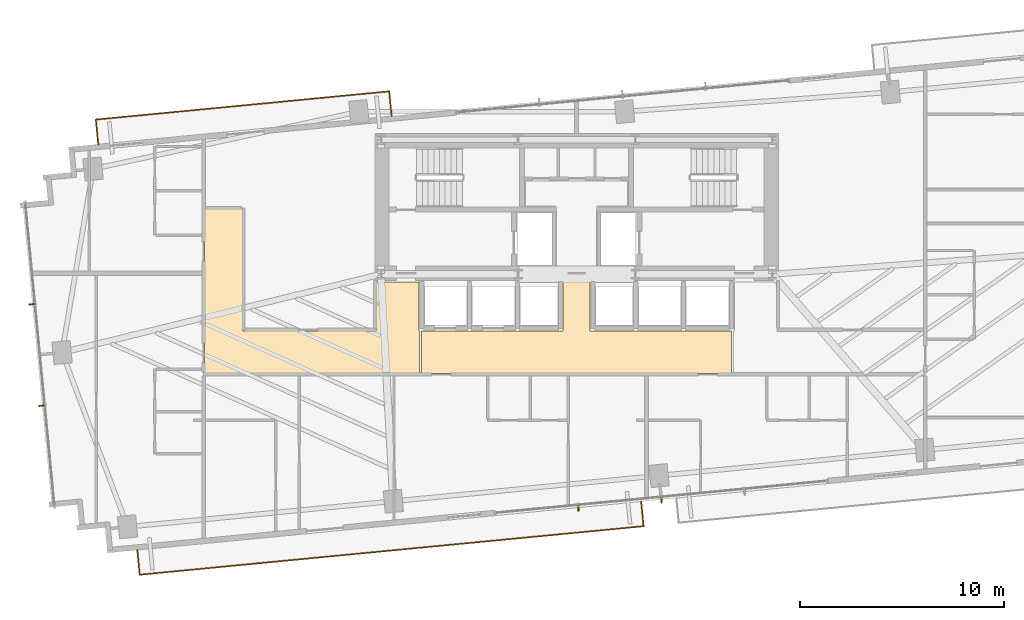
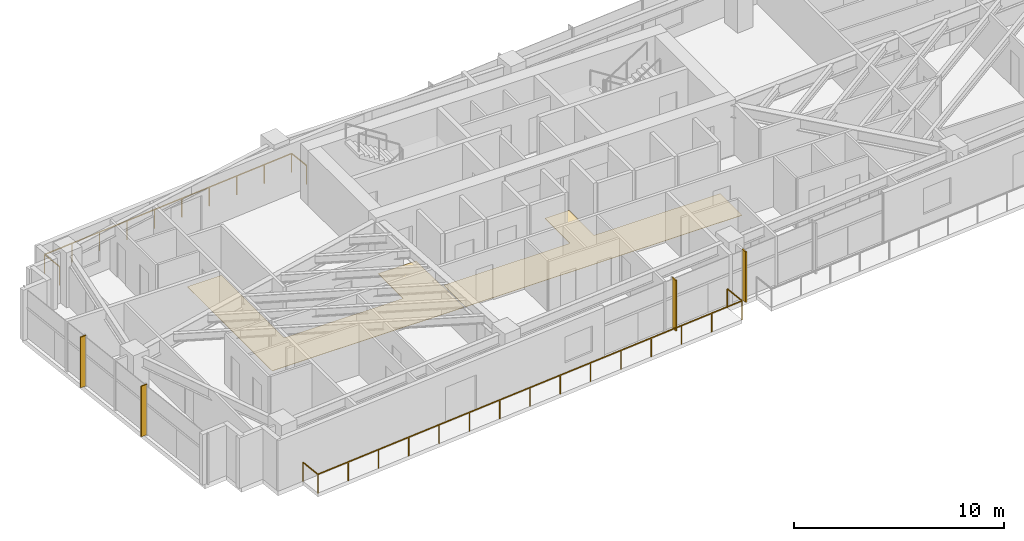
# One storey, part 25 of 27: 4 shading devices, 2 coverings, 2 railings.
"""IFC4 building model written with IfcOpenShell, lengths in metres."""

from ifc_helpers import new_model, si_unit, direction, frame, origin, origin_2d, place, context, subcontext, project, spatial, polyline, rectangle, outline, extrude, source, transform, mapped, material, layer, layer_set, type_object, type_shapes, element, save


model = new_model("IFC4")

# Units and contexts
model_context = context("Model", 3, precision=1e-05, world=origin(), true_north=direction((0.0, 1.0)))
body_context = subcontext(model_context, "Body", "Model", "MODEL_VIEW")
ifc_project = project(units=[si_unit("LENGTHUNIT", "METRE"), si_unit("AREAUNIT", "SQUARE_METRE"), si_unit("VOLUMEUNIT", "CUBIC_METRE"), si_unit("PLANEANGLEUNIT", "RADIAN"), si_unit("MASSUNIT", "GRAM", prefix="KILO")], contexts=[model_context])

# Site, building, storey
site_placement = place(None, origin())
site = spatial("IfcSite", under=ifc_project, at=site_placement, CompositionType="ELEMENT")
building_placement = place(site_placement, origin())
building = spatial("IfcBuilding", under=site, at=building_placement, Name="Astriad Promenade Condominiums", CompositionType="ELEMENT")
storey_placement = place(building_placement, frame((0.0, 0.0, 84.199951171875)))
storey = spatial("IfcBuildingStorey", under=building, at=storey_placement, Name="L23", CompositionType="ELEMENT", Elevation=84.199951171875)

# Coverings
ifc_material_1 = material(Name="Polished Lakefront Terrazzo Flooring")
ifc_layer = layer(ifc_material_1, 0.02001953125)
ifc_layer_set = layer_set([ifc_layer], Name="Polished Lakefront Terrazzo Flooring")
covering_type = type_object("IfcCoveringType", Name="COV-FLOR-TERRAZZO-20", PredefinedType="FLOORING", material=ifc_layer_set)
covering_1_placement = place(storey_placement, origin())
element("IfcCovering", 1, at=covering_1_placement, inside=storey, type_object=covering_type, Name="FLR-L23-LLB", PredefinedType="FLOORING", context=body_context, shape_type="SweptSolid", body=[
    extrude(outline(polyline([(43.610107421875, 14.610107421875), (43.610107421875, 12.530029296875), (28.389892578125, 12.530029296875), (28.389892578125, 14.610107421875), (35.300048828125, 14.610107421875), (35.303955078125, 14.610107421875), (35.307861328125, 14.61083984375), (35.3115234375, 14.61181640625), (35.315185546875, 14.613037109375), (35.31884765625, 14.61474609375), (35.322265625, 14.61669921875), (35.325439453125, 14.619140625), (35.328369140625, 14.62158203125), (35.330810546875, 14.62451171875), (35.333251953125, 14.627685546875), (35.335205078125, 14.631103515625), (35.3369140625, 14.634765625), (35.33837890625, 14.638427734375), (35.339111328125, 14.64208984375), (35.33984375, 14.64599609375), (35.340087890625, 14.64990234375), (35.340087890625, 17.010009765625), (36.659912109375, 17.010009765625), (36.659912109375, 14.64990234375), (36.66015625, 14.64599609375), (36.660888671875, 14.64208984375), (36.66162109375, 14.638427734375), (36.6630859375, 14.634765625), (36.664794921875, 14.631103515625), (36.666748046875, 14.627685546875), (36.669189453125, 14.62451171875), (36.671630859375, 14.62158203125), (36.674560546875, 14.619140625), (36.677734375, 14.61669921875), (36.68115234375, 14.61474609375), (36.684814453125, 14.613037109375), (36.6884765625, 14.61181640625), (36.692138671875, 14.61083984375), (36.696044921875, 14.610107421875), (36.699951171875, 14.610107421875), (43.610107421875, 14.610107421875)])), origin(), (0.0, 0.0, 1.0), 0.02001953125),
])
covering_2_placement = place(storey_placement, origin())
element("IfcCovering", 2, at=covering_2_placement, inside=storey, type_object=covering_type, Name="FLR-L23-COR-2", PredefinedType="FLOORING", context=body_context, shape_type="SweptSolid", body=[
    extrude(outline(polyline([(28.300048828125, 12.530029296875), (17.739990234375, 12.530029296875), (17.739990234375, 20.610107421875), (19.610107421875, 20.610107421875), (19.610107421875, 14.659912109375), (19.610107421875, 14.656005859375), (19.61083984375, 14.652099609375), (19.61181640625, 14.6484375), (19.613037109375, 14.644775390625), (19.61474609375, 14.64111328125), (19.61669921875, 14.6376953125), (19.619140625, 14.634521484375), (19.62158203125, 14.631591796875), (19.62451171875, 14.629150390625), (19.627685546875, 14.626708984375), (19.631103515625, 14.624755859375), (19.634765625, 14.623046875), (19.638427734375, 14.62158203125), (19.64208984375, 14.620849609375), (19.64599609375, 14.6201171875), (19.64990234375, 14.6201171875), (26.1201171875, 14.6201171875), (26.123779296875, 14.6201171875), (26.127685546875, 14.620849609375), (26.131591796875, 14.62158203125), (26.13525390625, 14.623046875), (26.138916015625, 14.624755859375), (26.14208984375, 14.626708984375), (26.1455078125, 14.629150390625), (26.148193359375, 14.631591796875), (26.15087890625, 14.634521484375), (26.1533203125, 14.6376953125), (26.1552734375, 14.64111328125), (26.156982421875, 14.644775390625), (26.158203125, 14.6484375), (26.1591796875, 14.652099609375), (26.159912109375, 14.656005859375), (26.159912109375, 14.659912109375), (26.159912109375, 17.010009765625), (28.260009765625, 17.010009765625), (28.260009765625, 14.64990234375), (28.26025390625, 14.64599609375), (28.2607421875, 14.64208984375), (28.26171875, 14.638427734375), (28.262939453125, 14.634765625), (28.2646484375, 14.631103515625), (28.2666015625, 14.627685546875), (28.26904296875, 14.62451171875), (28.271728515625, 14.62158203125), (28.274658203125, 14.619140625), (28.27783203125, 14.61669921875), (28.281005859375, 14.61474609375), (28.28466796875, 14.613037109375), (28.288330078125, 14.61181640625), (28.292236328125, 14.61083984375), (28.296142578125, 14.610107421875), (28.300048828125, 14.610107421875), (28.300048828125, 12.530029296875)])), origin(), (0.0, 0.0, 1.0), 0.02001953125),
])

# Shading devices
ifc_material_2 = material(Name="Anodised aluminium 6063-T6 Black Fin", Category="aluminium")
shading_device_type = type_object("IfcShadingDeviceType", Name="FIN-BLACK-320", PredefinedType="USERDEFINED", material=ifc_material_2)
shared_shape_1 = source(origin(), body_context, "Body", "SweptSolid", [
    extrude(rectangle(XDim=0.06494140625, YDim=0.320068359375, at=origin_2d()), origin(), (0.0, 0.0, 1.0), 2.93994140625),
])
type_shapes(shading_device_type, [shared_shape_1])
for number, where, z_axis, x_axis, name in (
    (3, (9.766845703125, 10.954345703125, 0.0), (0.0, 0.0, 1.0), (-0.09584575252, 0.995396198367, 0.0), "CW-L23-W-FIN-01"),
    (4, (9.28759765625, 15.931396484375, 0.0), (0.0, 0.0, 1.0), (-0.09584575252, 0.995396198367, 0.0), "CW-L23-W-FIN-02"),
    (5, (40.159423828125, 6.3359375, 0.0), (0.0, 0.0, 1.0), (-0.995396198367, -0.09584575252, 0.0), "CW-L23-S-FIN-02"),
    (6, (36.083251953125, 5.943603515625, 0.0), (0.0, 0.0, 1.0), (-0.995396198367, -0.09584575252, 0.0), "CW-L23-S-FIN-03"),
):
    element("IfcShadingDevice", number, at=place(storey_placement, frame(where, z_axis=z_axis, x_axis=x_axis)), inside=storey, type_object=shading_device_type, Name=name, ObjectType="FIN", PredefinedType="USERDEFINED", context=body_context, shape_type="MappedRepresentation", body=[
        mapped(shared_shape_1, transform((0.0, 0.0, 0.0), scale=1.0)),
    ])

# Railings
ifc_material_3 = material(Name="Laminated Glass and Stainless Steel Balustrade", Category="steel")
railing_type = type_object("IfcRailingType", Name="GRD-BALC-1120", PredefinedType="BALUSTRADE", material=ifc_material_3)
shared_shape_2 = source(origin(), body_context, "Body", "SweptSolid", [
    extrude(rectangle(XDim=0.048095703125, YDim=0.048095703125, at=origin_2d()), frame((0.0, 0.0, 1.09619140625), z_axis=(0.095857307208, -0.99539508571, 0.0), x_axis=(0.99539508571, 0.095857307208, 0.0)), (0.0, 0.0, 1.0), 1.219970703125),
    extrude(rectangle(XDim=0.048095703125, YDim=0.048095703125, at=origin_2d()), frame((0.116943359375, -1.21435546875, 1.09619140625), z_axis=(0.995396704625, 0.095840494683, 0.0), x_axis=(-0.095840494683, 0.995396704625, 0.0)), (0.0, 0.0, 1.0), 24.841796875),
    extrude(rectangle(XDim=0.048095703125, YDim=0.048095703125, at=origin_2d()), frame((24.844482421875, 1.16650390625, 1.09619140625), z_axis=(-0.095857307208, 0.99539508571, 0.0), x_axis=(-0.99539508571, -0.095857307208, 0.0)), (0.0, 0.0, 1.0), 1.219970703125),
    extrude(rectangle(XDim=0.0419921875, YDim=0.0419921875, at=origin_2d()), origin(), (0.0, 0.0, 1.0), 1.072021484375),
    extrude(rectangle(XDim=0.0419921875, YDim=0.0419921875, at=origin_2d()), frame((0.116943359375, -1.21435546875, 0.0)), (0.0, 0.0, 1.0), 1.072021484375),
    extrude(rectangle(XDim=0.0419921875, YDim=0.0419921875, at=origin_2d()), frame((1.88330078125, -1.044189453125, 0.0)), (0.0, 0.0, 1.0), 1.072021484375),
    extrude(rectangle(XDim=0.0419921875, YDim=0.0419921875, at=origin_2d()), frame((3.6494140625, -0.874267578125, 0.0)), (0.0, 0.0, 1.0), 1.072021484375),
    extrude(rectangle(XDim=0.0419921875, YDim=0.0419921875, at=origin_2d()), frame((5.415771484375, -0.7041015625, 0.0)), (0.0, 0.0, 1.0), 1.072021484375),
    extrude(rectangle(XDim=0.0419921875, YDim=0.0419921875, at=origin_2d()), frame((7.181884765625, -0.5341796875, 0.0)), (0.0, 0.0, 1.0), 1.072021484375),
    extrude(rectangle(XDim=0.0419921875, YDim=0.0419921875, at=origin_2d()), frame((8.9482421875, -0.364013671875, 0.0)), (0.0, 0.0, 1.0), 1.072021484375),
    extrude(rectangle(XDim=0.0419921875, YDim=0.0419921875, at=origin_2d()), frame((10.71435546875, -0.194091796875, 0.0)), (0.0, 0.0, 1.0), 1.072021484375),
    extrude(rectangle(XDim=0.0419921875, YDim=0.0419921875, at=origin_2d()), frame((12.480712890625, -0.02392578125, 0.0)), (0.0, 0.0, 1.0), 1.072021484375),
    extrude(rectangle(XDim=0.0419921875, YDim=0.0419921875, at=origin_2d()), frame((14.2470703125, 0.146240234375, 0.0)), (0.0, 0.0, 1.0), 1.072021484375),
    extrude(rectangle(XDim=0.0419921875, YDim=0.0419921875, at=origin_2d()), frame((16.01318359375, 0.316162109375, 0.0)), (0.0, 0.0, 1.0), 1.072021484375),
    extrude(rectangle(XDim=0.0419921875, YDim=0.0419921875, at=origin_2d()), frame((17.779541015625, 0.486328125, 0.0)), (0.0, 0.0, 1.0), 1.072021484375),
    extrude(rectangle(XDim=0.0419921875, YDim=0.0419921875, at=origin_2d()), frame((19.545654296875, 0.65625, 0.0)), (0.0, 0.0, 1.0), 1.072021484375),
    extrude(rectangle(XDim=0.0419921875, YDim=0.0419921875, at=origin_2d()), frame((21.31201171875, 0.826416015625, 0.0)), (0.0, 0.0, 1.0), 1.072021484375),
    extrude(rectangle(XDim=0.0419921875, YDim=0.0419921875, at=origin_2d()), frame((23.078125, 0.996337890625, 0.0)), (0.0, 0.0, 1.0), 1.072021484375),
    extrude(rectangle(XDim=0.0419921875, YDim=0.0419921875, at=origin_2d()), frame((24.844482421875, 1.16650390625, 0.0)), (0.0, 0.0, 1.0), 1.072021484375),
    extrude(rectangle(XDim=0.0419921875, YDim=0.0419921875, at=origin_2d()), frame((24.7275390625, 2.380859375, 0.0)), (0.0, 0.0, 1.0), 1.072021484375),
])
railing_1_placement = place(storey_placement, frame((14.44140625, 3.869873046875, 0.0)))
element("IfcRailing", 7, at=railing_1_placement, inside=storey, type_object=railing_type, Name="GRD-BALC-L23-SW", PredefinedType="BALUSTRADE", context=body_context, shape_type="MappedRepresentation", body=[
    mapped(shared_shape_2, transform((0.0, 0.0, 0.0), scale=1.0)),
])
shared_shape_3 = source(origin(), body_context, "Body", "SweptSolid", [
    extrude(rectangle(XDim=0.048095703125, YDim=0.048095703125, at=origin_2d()), frame((0.0, 0.0, 1.09619140625), z_axis=(-0.095857307208, 0.99539508571, 0.0), x_axis=(-0.99539508571, -0.095857307208, 0.0)), (0.0, 0.0, 1.0), 1.219970703125),
    extrude(rectangle(XDim=0.048095703125, YDim=0.048095703125, at=origin_2d()), frame((-0.116943359375, 1.21435546875, 1.09619140625), z_axis=(-0.995396249527, -0.095845221199, 0.0), x_axis=(0.095845221199, -0.995396249527, 0.0)), (0.0, 0.0, 1.0), 14.4658203125),
    extrude(rectangle(XDim=0.048095703125, YDim=0.048095703125, at=origin_2d()), frame((-14.51611328125, -0.172119140625, 1.09619140625), z_axis=(0.095639968643, -0.995415991633, 0.0), x_axis=(0.995415991633, 0.095639968643, 0.0)), (0.0, 0.0, 1.0), 1.22021484375),
    extrude(rectangle(XDim=0.0419921875, YDim=0.0419921875, at=origin_2d()), origin(), (0.0, 0.0, 1.0), 1.072021484375),
    extrude(rectangle(XDim=0.0419921875, YDim=0.0419921875, at=origin_2d()), frame((-0.116943359375, 1.21435546875, 0.0)), (0.0, 0.0, 1.0), 1.072021484375),
    extrude(rectangle(XDim=0.0419921875, YDim=0.0419921875, at=origin_2d()), frame((-1.716796875, 1.060302734375, 0.0)), (0.0, 0.0, 1.0), 1.072021484375),
    extrude(rectangle(XDim=0.0419921875, YDim=0.0419921875, at=origin_2d()), frame((-3.316650390625, 0.90625, 0.0)), (0.0, 0.0, 1.0), 1.072021484375),
    extrude(rectangle(XDim=0.0419921875, YDim=0.0419921875, at=origin_2d()), frame((-4.916748046875, 0.752197265625, 0.0)), (0.0, 0.0, 1.0), 1.072021484375),
    extrude(rectangle(XDim=0.0419921875, YDim=0.0419921875, at=origin_2d()), frame((-6.5166015625, 0.59814453125, 0.0)), (0.0, 0.0, 1.0), 1.072021484375),
    extrude(rectangle(XDim=0.0419921875, YDim=0.0419921875, at=origin_2d()), frame((-8.116455078125, 0.444091796875, 0.0)), (0.0, 0.0, 1.0), 1.072021484375),
    extrude(rectangle(XDim=0.0419921875, YDim=0.0419921875, at=origin_2d()), frame((-9.71630859375, 0.2900390625, 0.0)), (0.0, 0.0, 1.0), 1.072021484375),
    extrude(rectangle(XDim=0.0419921875, YDim=0.0419921875, at=origin_2d()), frame((-11.31640625, 0.135986328125, 0.0)), (0.0, 0.0, 1.0), 1.072021484375),
    extrude(rectangle(XDim=0.0419921875, YDim=0.0419921875, at=origin_2d()), frame((-12.916259765625, -0.01806640625, 0.0)), (0.0, 0.0, 1.0), 1.072021484375),
    extrude(rectangle(XDim=0.0419921875, YDim=0.0419921875, at=origin_2d()), frame((-14.51611328125, -0.172119140625, 0.0)), (0.0, 0.0, 1.0), 1.072021484375),
    extrude(rectangle(XDim=0.0419921875, YDim=0.0419921875, at=origin_2d()), frame((-14.3994140625, -1.38671875, 0.0)), (0.0, 0.0, 1.0), 1.072021484375),
])
type_shapes(railing_type, [shared_shape_2, shared_shape_3])
railing_2_placement = place(storey_placement, frame((26.923828125, 25.164306640625, 0.0)))
element("IfcRailing", 8, at=railing_2_placement, inside=storey, type_object=railing_type, Name="GRD-BALC-L23-NW", PredefinedType="BALUSTRADE", context=body_context, shape_type="MappedRepresentation", body=[
    mapped(shared_shape_3, transform((0.0, 0.0, 0.0), scale=1.0)),
])

save(model, "model.ifc")
